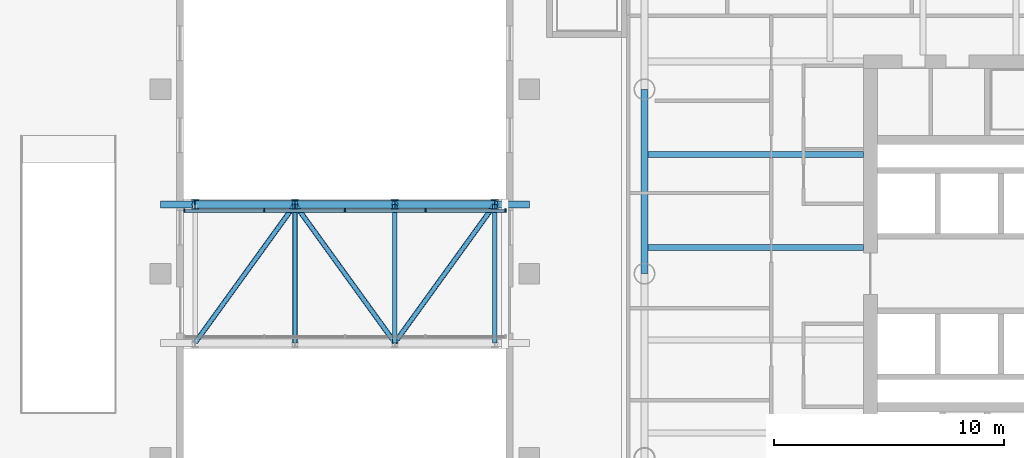
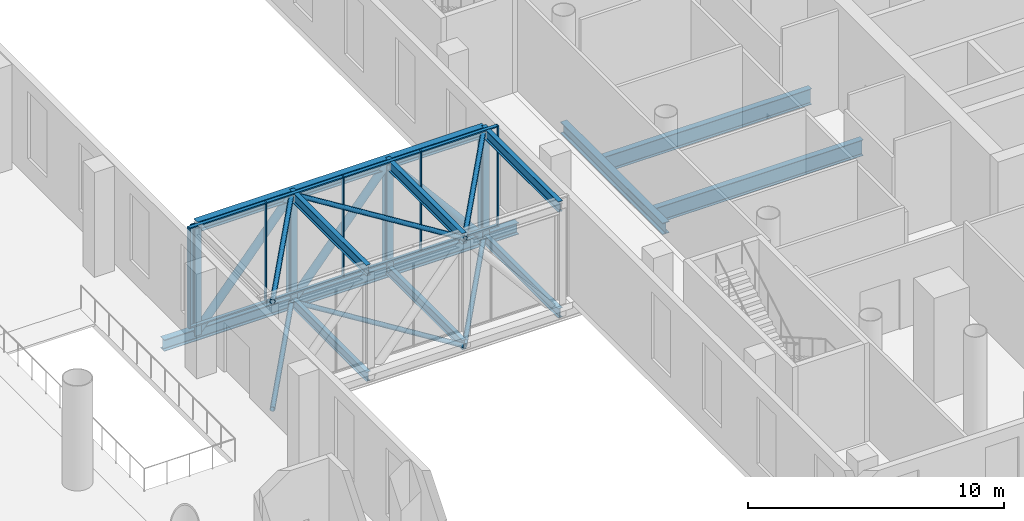
# One storey, part 6 of 23: 28 members, 9 beams, 1 element without a shape of its own.
"""IFC4 building model written with IfcOpenShell, lengths in metres."""

from ifc_helpers import new_model, si_unit, direction, frame, origin, origin_2d, place, context, subcontext, project, spatial, rectangle, hollow_circle, i_section, extrude, material, material_profile, profile_set, type_object, element, aggregate, save


model = new_model("IFC4")

# Units and contexts
model_context = context("Model", 3, precision=1e-05, world=origin(), true_north=direction((0.0, 1.0)))
body_context = subcontext(model_context, "Body", "Model", "MODEL_VIEW")
ifc_project = project(units=[si_unit("LENGTHUNIT", "METRE"), si_unit("AREAUNIT", "SQUARE_METRE"), si_unit("VOLUMEUNIT", "CUBIC_METRE"), si_unit("PLANEANGLEUNIT", "RADIAN"), si_unit("MASSUNIT", "GRAM", prefix="KILO")], contexts=[model_context])

# Site, building, storey
site_placement = place(None, origin())
site = spatial("IfcSite", under=ifc_project, at=site_placement, CompositionType="ELEMENT")
building_placement = place(site_placement, origin())
building = spatial("IfcBuilding", under=site, at=building_placement, Name="Ostroluk Exchange", CompositionType="ELEMENT")
storey_placement = place(building_placement, frame((0.0, 0.0, 11.0)))
storey = spatial("IfcBuildingStorey", under=building, at=storey_placement, Name="L02", CompositionType="ELEMENT", Elevation=11.0)

# Beams
ifc_material_1 = material(Name="Steel S355", Category="steel")
ifc_material_profile_1 = material_profile(ifc_material_1, i_section(OverallWidth=0.18994140625, OverallDepth=0.449951171875, WebThickness=0.009521484375, FlangeThickness=0.0146484375, FilletRadius=0.02099609375, at=origin_2d()), Name="IPE 450")
ifc_profile_set_1 = profile_set([ifc_material_profile_1], Name="Steel S355")
beam_type_1 = type_object("IfcBeamType", Name="Bridge cross beam IPE 450", PredefinedType="BEAM", material=ifc_profile_set_1)
for number, where, z_axis, x_axis, name in (
    (1, (82.833251953125, 43.0, -0.52490234375), (0.0, 1.0, 0.0), (-1.0, 0.0, 0.0), "BR1 deck cross beam 2"),
    (2, (87.166748046875, 43.0, -0.52490234375), (0.0, 1.0, 0.0), (-1.0, 0.0, 0.0), "BR1 deck cross beam 3"),
    (3, (91.5, 43.0, -0.52490234375), (0.0, 1.0, 0.0), (-1.0, 0.0, 0.0), "BR1 deck cross beam 4"),
):
    element("IfcBeam", number, at=place(storey_placement, frame(where, z_axis=z_axis, x_axis=x_axis)), inside=storey, type_object=beam_type_1, Name=name, PredefinedType="BEAM", context=body_context, shape_type="SweptSolid", body=[
        extrude(i_section(OverallWidth=0.18994140625, OverallDepth=0.449951171875, WebThickness=0.009521484375, FlangeThickness=0.0146484375, FilletRadius=0.02099609375, at=origin_2d()), origin(), (0.0, 0.0, 1.0), 6.0),
    ])
ifc_material_2 = material(Name="Steel S355", Category="steel")
ifc_material_profile_2 = material_profile(ifc_material_2, i_section(OverallWidth=0.199951171875, OverallDepth=0.5, WebThickness=0.01025390625, FlangeThickness=0.01611328125, FilletRadius=0.02099609375, at=origin_2d()), Name="IPE 500")
ifc_profile_set_2 = profile_set([ifc_material_profile_2], Name="Steel S355")
beam_type_2 = type_object("IfcBeamType", Name="Bridge cross beam IPE 500", PredefinedType="BEAM", material=ifc_profile_set_2)
for number, where, z_axis, x_axis, name in (
    (4, (82.833251953125, 43.0, 4.550048828125), (0.0, 1.0, 0.0), (-1.0, 0.0, 0.0), "BR1 roof cross beam 2"),
    (5, (87.166748046875, 43.0, 4.550048828125), (0.0, 1.0, 0.0), (-1.0, 0.0, 0.0), "BR1 roof cross beam 3"),
    (6, (91.5, 43.0, 4.550048828125), (0.0, 1.0, 0.0), (-1.0, 0.0, 0.0), "BR1 roof cross beam 4"),
):
    element("IfcBeam", number, at=place(storey_placement, frame(where, z_axis=z_axis, x_axis=x_axis)), inside=storey, type_object=beam_type_2, Name=name, PredefinedType="BEAM", context=body_context, shape_type="SweptSolid", body=[
        extrude(i_section(OverallWidth=0.199951171875, OverallDepth=0.5, WebThickness=0.01025390625, FlangeThickness=0.01611328125, FilletRadius=0.02099609375, at=origin_2d()), origin(), (0.0, 0.0, 1.0), 6.0),
    ])

# Curtain wall, members
ifc_material_3 = material(Name="Laminated clear glass", Category="glass")
curtain_wall_type = type_object("IfcCurtainWallType", Name="Bridge glazing", PredefinedType="USERDEFINED", material=ifc_material_3)
curtain_wall_placement = place(storey_placement, origin())
curtain_wall = element("IfcCurtainWall", 7, at=curtain_wall_placement, inside=storey, type_object=curtain_wall_type, Name="Podium bridge north glazing", ObjectType="STICK CURTAIN WALL", PredefinedType="USERDEFINED")
ifc_material_4 = material(Name="Aluminium mullion", Category="aluminium")
ifc_material_profile_3 = material_profile(ifc_material_4, rectangle(XDim=0.14990234375, YDim=0.06005859375, at=origin_2d()), Name="Bridge mullion 60 x 150")
ifc_profile_set_3 = profile_set([ifc_material_profile_3], Name="Aluminium mullion")
member_type_1 = type_object("IfcMemberType", Name="Bridge mullion 60 x 150", PredefinedType="MULLION", material=ifc_profile_set_3)
member_1_placement = place(storey_placement, frame((91.969970703125, 48.735107421875, 0.0), z_axis=(0.0, 0.0, 1.0), x_axis=(0.0, -1.0, 0.0)))
member_1 = element("IfcMember", 8, at=member_1_placement, type_object=member_type_1, Name="CW-BR1 mullion 1", PredefinedType="MULLION", context=body_context, shape_type="SweptSolid", body=[
    extrude(rectangle(XDim=0.14990234375, YDim=0.06005859375, at=origin_2d()), origin(), (0.0, 0.0, 1.0), 4.800048828125),
])
member_2_placement = place(storey_placement, frame((88.5, 48.735107421875, 0.0), z_axis=(0.0, 0.0, 1.0), x_axis=(0.0, -1.0, 0.0)))
member_2 = element("IfcMember", 9, at=member_2_placement, type_object=member_type_1, Name="CW-BR1 mullion 2", PredefinedType="MULLION", context=body_context, shape_type="SweptSolid", body=[
    extrude(rectangle(XDim=0.14990234375, YDim=0.06005859375, at=origin_2d()), origin(), (0.0, 0.0, 1.0), 4.800048828125),
])
member_3_placement = place(storey_placement, frame((85.0, 48.735107421875, 0.0), z_axis=(0.0, 0.0, 1.0), x_axis=(0.0, -1.0, 0.0)))
member_3 = element("IfcMember", 10, at=member_3_placement, type_object=member_type_1, Name="CW-BR1 mullion 3", PredefinedType="MULLION", context=body_context, shape_type="SweptSolid", body=[
    extrude(rectangle(XDim=0.14990234375, YDim=0.06005859375, at=origin_2d()), origin(), (0.0, 0.0, 1.0), 4.800048828125),
])
member_4_placement = place(storey_placement, frame((81.5, 48.735107421875, 0.0), z_axis=(0.0, 0.0, 1.0), x_axis=(0.0, -1.0, 0.0)))
member_4 = element("IfcMember", 11, at=member_4_placement, type_object=member_type_1, Name="CW-BR1 mullion 4", PredefinedType="MULLION", context=body_context, shape_type="SweptSolid", body=[
    extrude(rectangle(XDim=0.14990234375, YDim=0.06005859375, at=origin_2d()), origin(), (0.0, 0.0, 1.0), 4.800048828125),
])
member_5_placement = place(storey_placement, frame((78.030029296875, 48.735107421875, 0.0), z_axis=(0.0, 0.0, 1.0), x_axis=(0.0, -1.0, 0.0)))
member_5 = element("IfcMember", 12, at=member_5_placement, type_object=member_type_1, Name="CW-BR1 mullion 5", PredefinedType="MULLION", context=body_context, shape_type="SweptSolid", body=[
    extrude(rectangle(XDim=0.14990234375, YDim=0.06005859375, at=origin_2d()), origin(), (0.0, 0.0, 1.0), 4.800048828125),
])

# Members
ifc_material_5 = material(Name="Steel S460", Category="steel")
ifc_material_profile_4 = material_profile(ifc_material_5, hollow_circle(Radius=0.109619140625, WallThickness=0.010009765625, at=origin_2d()), Name="CHS 219.1x10")
ifc_profile_set_4 = profile_set([ifc_material_profile_4], Name="Steel S460")
member_type_2 = type_object("IfcMemberType", Name="Bridge plan bracing CHS 219.1x10", PredefinedType="BRACE", material=ifc_profile_set_4)
for number, where, z_axis, x_axis, name in (
    (13, (78.5, 43.0, -0.574951171875), (0.585483327496, 0.81068444738, 0.0), (-0.81068444738, 0.585483327496, 0.0), "BR1 deck plan brace 1"),
    (14, (78.5, 43.0, 4.550048828125), (0.585483327496, 0.81068444738, 0.0), (-0.81068444738, 0.585483327496, 0.0), "BR1 roof plan brace 1"),
):
    element("IfcMember", number, at=place(storey_placement, frame(where, z_axis=z_axis, x_axis=x_axis)), inside=storey, type_object=member_type_2, Name=name, PredefinedType="BRACE", context=body_context, shape_type="SweptSolid", body=[
        extrude(hollow_circle(Radius=0.109619140625, WallThickness=0.010009765625, at=origin_2d()), origin(), (0.0, 0.0, 1.0), 7.401123046875),
    ])
for number, where, z_axis, x_axis, name in (
    (15, (82.833251953125, 49.0, -0.574951171875), (0.585505006122, -0.810668790448, 0.0), (0.810668790448, 0.585505006122, 0.0), "BR1 deck plan brace 2"),
    (16, (82.833251953125, 49.0, 4.550048828125), (0.585505006122, -0.810668790448, 0.0), (0.810668790448, 0.585505006122, 0.0), "BR1 roof plan brace 2"),
):
    element("IfcMember", number, at=place(storey_placement, frame(where, z_axis=z_axis, x_axis=x_axis)), inside=storey, type_object=member_type_2, Name=name, PredefinedType="BRACE", context=body_context, shape_type="SweptSolid", body=[
        extrude(hollow_circle(Radius=0.109619140625, WallThickness=0.010009765625, at=origin_2d()), origin(), (0.0, 0.0, 1.0), 7.4013671875),
    ])
for number, where, z_axis, x_axis, name in (
    (17, (87.166748046875, 43.0, -0.574951171875), (0.585483327496, 0.81068444738, 0.0), (-0.81068444738, 0.585483327496, 0.0), "BR1 deck plan brace 3"),
    (18, (87.166748046875, 43.0, 4.550048828125), (0.585483327496, 0.81068444738, 0.0), (-0.81068444738, 0.585483327496, 0.0), "BR1 roof plan brace 3"),
):
    element("IfcMember", number, at=place(storey_placement, frame(where, z_axis=z_axis, x_axis=x_axis)), inside=storey, type_object=member_type_2, Name=name, PredefinedType="BRACE", context=body_context, shape_type="SweptSolid", body=[
        extrude(hollow_circle(Radius=0.109619140625, WallThickness=0.010009765625, at=origin_2d()), origin(), (0.0, 0.0, 1.0), 7.401123046875),
    ])

# Member
ifc_material_6 = material(Name="Aluminium mullion", Category="aluminium")
ifc_material_profile_5 = material_profile(ifc_material_6, rectangle(XDim=0.14990234375, YDim=0.06005859375, at=origin_2d()), Name="Bridge transom 60 x 150")
ifc_profile_set_5 = profile_set([ifc_material_profile_5], Name="Aluminium mullion")
member_type_3 = type_object("IfcMemberType", Name="Bridge transom 60 x 150", PredefinedType="USERDEFINED", material=ifc_profile_set_5)
member_6_placement = place(storey_placement, frame((91.93994140625, 48.735107421875, 0.030029296875), z_axis=(-1.0, 0.0, 0.0), x_axis=(0.0, -1.0, 0.0)))
member_6 = element("IfcMember", 19, at=member_6_placement, type_object=member_type_3, Name="CW-BR1 transom 1.1", ObjectType="TRANSOM", PredefinedType="USERDEFINED", context=body_context, shape_type="SweptSolid", body=[
    extrude(rectangle(XDim=0.14990234375, YDim=0.06005859375, at=origin_2d()), origin(), (0.0, 0.0, 1.0), 3.409912109375),
])

member_7_placement = place(storey_placement, frame((91.93994140625, 48.735107421875, 4.77001953125), z_axis=(-1.0, 0.0, 0.0), x_axis=(0.0, -1.0, 0.0)))
member_7 = element("IfcMember", 20, at=member_7_placement, type_object=member_type_3, Name="CW-BR1 transom 1.2", ObjectType="TRANSOM", PredefinedType="USERDEFINED", context=body_context, shape_type="SweptSolid", body=[
    extrude(rectangle(XDim=0.14990234375, YDim=0.06005859375, at=origin_2d()), origin(), (0.0, 0.0, 1.0), 3.409912109375),
])

member_8_placement = place(storey_placement, frame((88.469970703125, 48.735107421875, 0.030029296875), z_axis=(-1.0, 0.0, 0.0), x_axis=(0.0, -1.0, 0.0)))
member_8 = element("IfcMember", 21, at=member_8_placement, type_object=member_type_3, Name="CW-BR1 transom 2.1", ObjectType="TRANSOM", PredefinedType="USERDEFINED", context=body_context, shape_type="SweptSolid", body=[
    extrude(rectangle(XDim=0.14990234375, YDim=0.06005859375, at=origin_2d()), origin(), (0.0, 0.0, 1.0), 3.43994140625),
])

member_9_placement = place(storey_placement, frame((88.469970703125, 48.735107421875, 4.77001953125), z_axis=(-1.0, 0.0, 0.0), x_axis=(0.0, -1.0, 0.0)))
member_9 = element("IfcMember", 22, at=member_9_placement, type_object=member_type_3, Name="CW-BR1 transom 2.2", ObjectType="TRANSOM", PredefinedType="USERDEFINED", context=body_context, shape_type="SweptSolid", body=[
    extrude(rectangle(XDim=0.14990234375, YDim=0.06005859375, at=origin_2d()), origin(), (0.0, 0.0, 1.0), 3.43994140625),
])

member_10_placement = place(storey_placement, frame((84.969970703125, 48.735107421875, 0.030029296875), z_axis=(-1.0, 0.0, 0.0), x_axis=(0.0, -1.0, 0.0)))
member_10 = element("IfcMember", 23, at=member_10_placement, type_object=member_type_3, Name="CW-BR1 transom 3.1", ObjectType="TRANSOM", PredefinedType="USERDEFINED", context=body_context, shape_type="SweptSolid", body=[
    extrude(rectangle(XDim=0.14990234375, YDim=0.06005859375, at=origin_2d()), origin(), (0.0, 0.0, 1.0), 3.43994140625),
])

member_11_placement = place(storey_placement, frame((84.969970703125, 48.735107421875, 4.77001953125), z_axis=(-1.0, 0.0, 0.0), x_axis=(0.0, -1.0, 0.0)))
member_11 = element("IfcMember", 24, at=member_11_placement, type_object=member_type_3, Name="CW-BR1 transom 3.2", ObjectType="TRANSOM", PredefinedType="USERDEFINED", context=body_context, shape_type="SweptSolid", body=[
    extrude(rectangle(XDim=0.14990234375, YDim=0.06005859375, at=origin_2d()), origin(), (0.0, 0.0, 1.0), 3.43994140625),
])

member_12_placement = place(storey_placement, frame((81.469970703125, 48.735107421875, 0.030029296875), z_axis=(-1.0, 0.0, 0.0), x_axis=(0.0, -1.0, 0.0)))
member_12 = element("IfcMember", 25, at=member_12_placement, type_object=member_type_3, Name="CW-BR1 transom 4.1", ObjectType="TRANSOM", PredefinedType="USERDEFINED", context=body_context, shape_type="SweptSolid", body=[
    extrude(rectangle(XDim=0.14990234375, YDim=0.06005859375, at=origin_2d()), origin(), (0.0, 0.0, 1.0), 3.409912109375),
])

member_13_placement = place(storey_placement, frame((81.469970703125, 48.735107421875, 4.77001953125), z_axis=(-1.0, 0.0, 0.0), x_axis=(0.0, -1.0, 0.0)))
member_13 = element("IfcMember", 26, at=member_13_placement, type_object=member_type_3, Name="CW-BR1 transom 4.2", ObjectType="TRANSOM", PredefinedType="USERDEFINED", context=body_context, shape_type="SweptSolid", body=[
    extrude(rectangle(XDim=0.14990234375, YDim=0.06005859375, at=origin_2d()), origin(), (0.0, 0.0, 1.0), 3.409912109375),
])

aggregate(curtain_wall, [member_1, member_2, member_3, member_4, member_5, member_6, member_7, member_8, member_9, member_10, member_11, member_12, member_13])

# Members
ifc_material_7 = material(Name="Steel S460", Category="steel")
ifc_material_profile_6 = material_profile(ifc_material_7, i_section(OverallWidth=0.300048828125, OverallDepth=0.5, WebThickness=0.014404296875, FlangeThickness=0.028076171875, FilletRadius=0.027099609375, at=origin_2d()), Name="HEB 500")
ifc_profile_set_6 = profile_set([ifc_material_profile_6], Name="Steel S460")
member_type_4 = type_object("IfcMemberType", Name="Bridge truss chord HEB 500", PredefinedType="CHORD", material=ifc_profile_set_6)
member_14_placement = place(storey_placement, frame((78.5, 49.0, 4.550048828125), z_axis=(1.0, 0.0, 0.0), x_axis=(0.0, 1.0, 0.0)))
element("IfcMember", 27, at=member_14_placement, inside=storey, type_object=member_type_4, Name="BR1 N top chord", PredefinedType="CHORD", context=body_context, shape_type="SweptSolid", body=[
    extrude(i_section(OverallWidth=0.300048828125, OverallDepth=0.5, WebThickness=0.014404296875, FlangeThickness=0.028076171875, FilletRadius=0.027099609375, at=origin_2d()), origin(), (0.0, 0.0, 1.0), 13.0),
])
ifc_material_8 = material(Name="Steel S460", Category="steel")
ifc_material_profile_7 = material_profile(ifc_material_8, i_section(OverallWidth=0.300048828125, OverallDepth=0.550048828125, WebThickness=0.014892578125, FlangeThickness=0.029052734375, FilletRadius=0.027099609375, at=origin_2d()), Name="HEB 550")
ifc_profile_set_7 = profile_set([ifc_material_profile_7], Name="Steel S460")
member_type_5 = type_object("IfcMemberType", Name="Bridge truss chord HEB 550", PredefinedType="CHORD", material=ifc_profile_set_7)
member_15_placement = place(storey_placement, frame((77.0, 49.0, -0.574951171875), z_axis=(1.0, 0.0, 0.0), x_axis=(0.0, 1.0, 0.0)))
element("IfcMember", 28, at=member_15_placement, inside=storey, type_object=member_type_5, Name="BR1 N bottom chord", PredefinedType="CHORD", context=body_context, shape_type="SweptSolid", body=[
    extrude(i_section(OverallWidth=0.300048828125, OverallDepth=0.550048828125, WebThickness=0.014892578125, FlangeThickness=0.029052734375, FilletRadius=0.027099609375, at=origin_2d()), origin(), (0.0, 0.0, 1.0), 16.0),
])
ifc_material_9 = material(Name="Steel S460", Category="steel")
ifc_material_profile_8 = material_profile(ifc_material_9, hollow_circle(Radius=0.177734375, WallThickness=0.012451171875, at=origin_2d()), Name="CHS 355.6x12.5")
ifc_profile_set_8 = profile_set([ifc_material_profile_8], Name="Steel S460")
member_type_6 = type_object("IfcMemberType", Name="Bridge truss diagonal CHS 355.6x12.5", PredefinedType="BRACE", material=ifc_profile_set_8)
for number, where, z_axis, x_axis, name in (
    (29, (78.5, 49.0, -0.574951171875), (0.645656824398, 0.0, 0.76362770059), (0.0, 1.0, 0.0), "BR1 N diagonal 1"),
    (30, (82.833251953125, 49.0, -0.574951171875), (0.645678036119, 0.0, 0.763609765308), (0.0, 1.0, 0.0), "BR1 N diagonal 2"),
    (31, (91.5, 49.0, -0.574951171875), (-0.645656824398, 0.0, 0.76362770059), (0.0, -1.0, 0.0), "BR1 N diagonal 3"),
):
    element("IfcMember", number, at=place(storey_placement, frame(where, z_axis=z_axis, x_axis=x_axis)), inside=storey, type_object=member_type_6, Name=name, PredefinedType="BRACE", context=body_context, shape_type="SweptSolid", body=[
        extrude(hollow_circle(Radius=0.177734375, WallThickness=0.012451171875, at=origin_2d()), origin(), (0.0, 0.0, 1.0), 6.71142578125),
    ])
ifc_material_10 = material(Name="Steel S460", Category="steel")
ifc_material_profile_9 = material_profile(ifc_material_10, i_section(OverallWidth=0.300048828125, OverallDepth=0.39990234375, WebThickness=0.013427734375, FlangeThickness=0.02392578125, FilletRadius=0.027099609375, at=origin_2d()), Name="HEB 400")
ifc_profile_set_9 = profile_set([ifc_material_profile_9], Name="Steel S460")
member_type_7 = type_object("IfcMemberType", Name="Bridge truss post HEB 400", PredefinedType="POST", material=ifc_profile_set_9)
for number, where, z_axis, x_axis, name in (
    (32, (78.5, 49.0, -0.574951171875), (0.0, 0.0, 1.0), (1.0, 0.0, 0.0), "BR1 N end post 1"),
    (33, (82.833251953125, 49.0, -0.574951171875), (0.0, 0.0, 1.0), (1.0, 0.0, 0.0), "BR1 N post 2"),
    (34, (87.166748046875, 49.0, -0.574951171875), (0.0, 0.0, 1.0), (1.0, 0.0, 0.0), "BR1 N post 3"),
    (35, (91.5, 49.0, -0.574951171875), (0.0, 0.0, 1.0), (1.0, 0.0, 0.0), "BR1 N end post 4"),
):
    element("IfcMember", number, at=place(storey_placement, frame(where, z_axis=z_axis, x_axis=x_axis)), inside=storey, type_object=member_type_7, Name=name, PredefinedType="POST", context=body_context, shape_type="SweptSolid", body=[
        extrude(i_section(OverallWidth=0.300048828125, OverallDepth=0.39990234375, WebThickness=0.013427734375, FlangeThickness=0.02392578125, FilletRadius=0.027099609375, at=origin_2d()), origin(), (0.0, 0.0, 1.0), 5.125),
    ])

# Beams
ifc_material_11 = material(Name="Steel S355", Category="steel")
ifc_material_profile_10 = material_profile(ifc_material_11, i_section(OverallWidth=0.264892578125, OverallDepth=0.7529296875, WebThickness=0.01318359375, FlangeThickness=0.01708984375, FilletRadius=0.01708984375, at=origin_2d()), Name="IPE 750x147")
ifc_profile_set_10 = profile_set([ifc_material_profile_10], Name="Steel S355")
beam_type_3 = type_object("IfcBeamType", Name="Floor beam IPE 750x147", PredefinedType="BEAM", material=ifc_profile_set_10)
for number, where, z_axis, x_axis, name in (
    (36, (107.5, 51.17138671875, -0.676513671875), (-1.0, 0.0, 0.0), (0.0, -1.0, 0.0), "T2 west floor beam 1"),
    (37, (107.5, 47.142822265625, -0.676513671875), (-1.0, 0.0, 0.0), (0.0, -1.0, 0.0), "T2 west floor beam 2"),
):
    element("IfcBeam", number, at=place(storey_placement, frame(where, z_axis=z_axis, x_axis=x_axis)), inside=storey, type_object=beam_type_3, Name=name, PredefinedType="BEAM", context=body_context, shape_type="SweptSolid", body=[
        extrude(i_section(OverallWidth=0.264892578125, OverallDepth=0.7529296875, WebThickness=0.01318359375, FlangeThickness=0.01708984375, FilletRadius=0.01708984375, at=origin_2d()), origin(), (0.0, 0.0, 1.0), 9.5),
    ])
ifc_material_12 = material(Name="Steel S355", Category="steel")
ifc_material_profile_11 = material_profile(ifc_material_12, i_section(OverallWidth=0.300048828125, OverallDepth=0.550048828125, WebThickness=0.014892578125, FlangeThickness=0.029052734375, FilletRadius=0.027099609375, at=origin_2d()), Name="HEB 550")
ifc_profile_set_11 = profile_set([ifc_material_profile_11], Name="Steel S355")
beam_type_4 = type_object("IfcBeamType", Name="Moment-connected edge beam HEB 550", PredefinedType="SPANDREL", material=ifc_profile_set_11)
beam_placement = place(storey_placement, frame((98.0, 54.0, -0.574951171875), z_axis=(0.0, -1.0, 0.0), x_axis=(1.0, 0.0, 0.0)))
element("IfcBeam", 38, at=beam_placement, inside=storey, type_object=beam_type_4, Name="T2 west edge beam 2", PredefinedType="SPANDREL", context=body_context, shape_type="SweptSolid", body=[
    extrude(i_section(OverallWidth=0.300048828125, OverallDepth=0.550048828125, WebThickness=0.014892578125, FlangeThickness=0.029052734375, FilletRadius=0.027099609375, at=origin_2d()), origin(), (0.0, 0.0, 1.0), 8.0),
])

save(model, "model.ifc")
